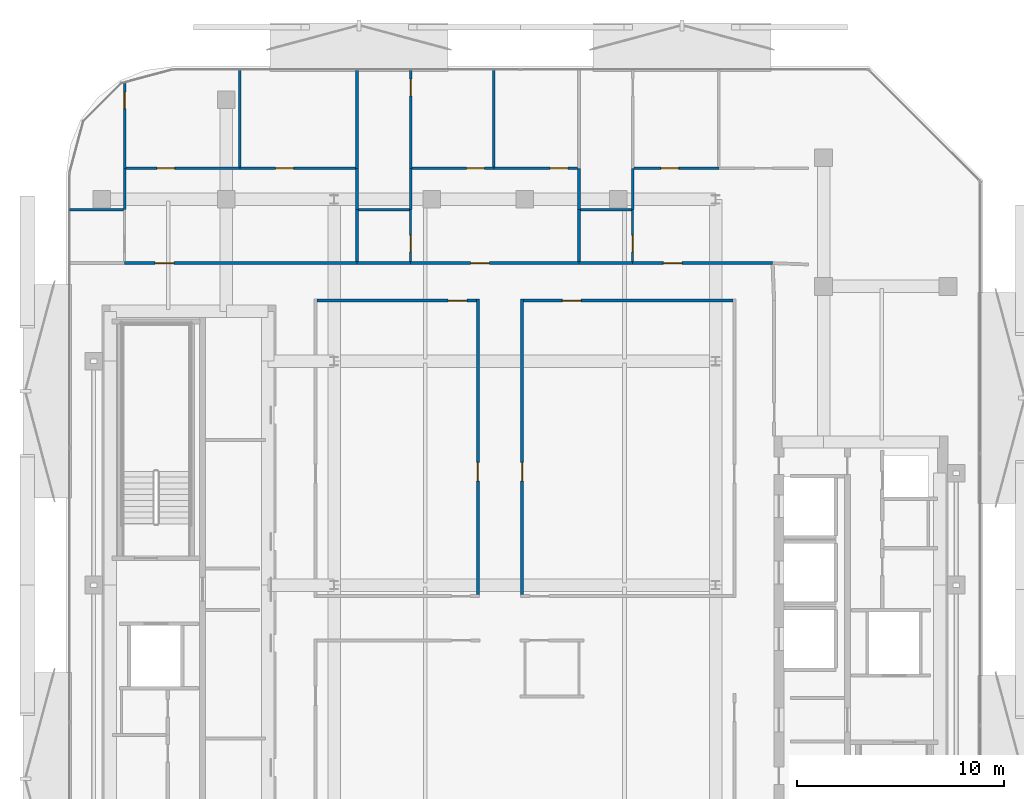
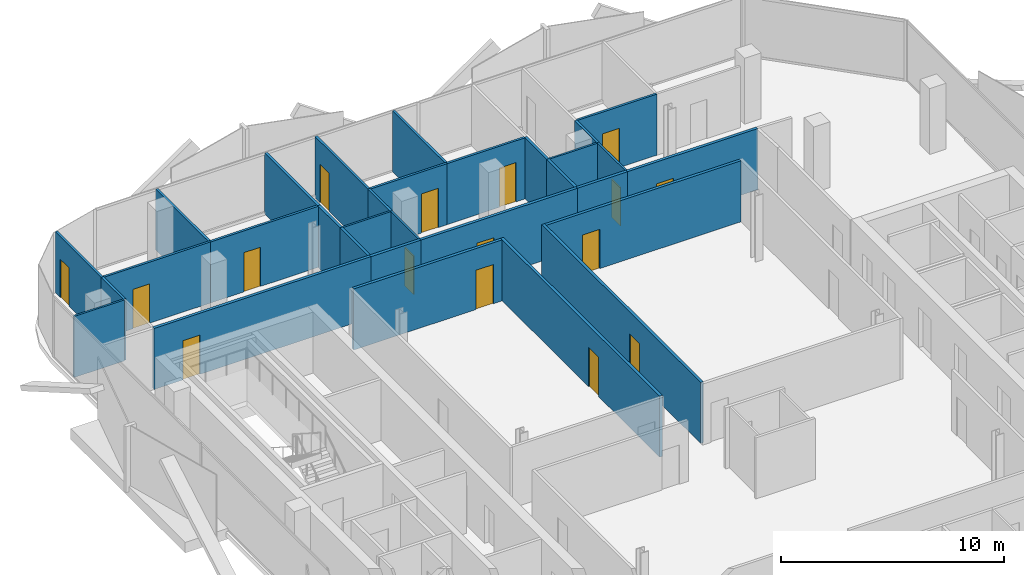
# One storey, part 6 of 15: 31 walls, 16 doors, 16 openings.
"""IFC4 building model written with IfcOpenShell, lengths in metres."""

from ifc_helpers import new_model, si_unit, direction, frame, frame_2d, origin, place, context, subcontext, project, spatial, rectangle, extrude, material, layer, layer_set, type_object, element, fill, save


model = new_model("IFC4")

# Units and contexts
model_context = context("Model", 3, precision=1e-05, world=origin(), true_north=direction((0.0, 1.0)))
body_context = subcontext(model_context, "Body", "Model", "MODEL_VIEW")
ifc_project = project(units=[si_unit("LENGTHUNIT", "METRE"), si_unit("AREAUNIT", "SQUARE_METRE"), si_unit("VOLUMEUNIT", "CUBIC_METRE"), si_unit("PLANEANGLEUNIT", "RADIAN"), si_unit("MASSUNIT", "GRAM", prefix="KILO")], contexts=[model_context])

# Site, building, storey
site_placement = place(None, origin())
site = spatial("IfcSite", under=ifc_project, at=site_placement, CompositionType="ELEMENT")
building_placement = place(site_placement, origin())
building = spatial("IfcBuilding", under=site, at=building_placement, Name="Khairoan Windgate Tower", CompositionType="ELEMENT")
storey_placement = place(building_placement, frame((0.0, 0.0, 244.0)))
storey = spatial("IfcBuildingStorey", under=building, at=storey_placement, Name="L57", CompositionType="ELEMENT", Elevation=244.0)

# Walls
ifc_material_1 = material(Name="Moisture-Resistant Gypsum Partition", Category="gypsum")
ifc_layer_1 = layer(ifc_material_1, 0.10009765625, Name="Moisture-Resistant Gypsum Partition")
ifc_layer_set_1 = layer_set([ifc_layer_1], Name="Moisture-Resistant Gypsum Partition")
wall_type_1 = type_object("IfcWallType", Name="Bathroom Wet-Area Partition Wall", PredefinedType="PARTITIONING", material=ifc_layer_set_1)
wall_1_placement = place(storey_placement, frame((-21.955078125, 18.10009765625, 0.0), z_axis=(0.0, 0.0, 1.0), x_axis=(1.0, 0.0, 0.0)))
element("IfcWall", 1, at=wall_1_placement, inside=storey, type_object=wall_type_1, Name="L57 Interior Partition 041", PredefinedType="PARTITIONING", context=body_context, shape_type="SweptSolid", body=[
    extrude(rectangle(XDim=2.594970703125, YDim=0.10009765625, at=frame_2d((1.29736328125, 0.0))), origin(), (0.0, 0.0, 1.0), 3.340087890625),
])
wall_2_placement = place(storey_placement, frame((-8.030029296875, 18.10009765625, 0.0), z_axis=(0.0, 0.0, 1.0), x_axis=(1.0, 0.0, 0.0)))
element("IfcWall", 2, at=wall_2_placement, inside=storey, type_object=wall_type_1, Name="L57 Interior Partition 051", PredefinedType="PARTITIONING", context=body_context, shape_type="SweptSolid", body=[
    extrude(rectangle(XDim=2.469970703125, YDim=0.10009765625, at=frame_2d((1.23486328125, 0.0))), origin(), (0.0, 0.0, 1.0), 3.340087890625),
])

# Wall, opening, door
wall_3_placement = place(storey_placement, frame((-5.510009765625, 15.60009765625, 0.0), z_axis=(0.0, 0.0, 1.0), x_axis=(0.0, 1.0, 0.0)))
wall_3 = element("IfcWall", 3, at=wall_3_placement, inside=storey, type_object=wall_type_1, Name="L57 Interior Partition 052", PredefinedType="PARTITIONING", context=body_context, shape_type="SweptSolid", body=[
    extrude(rectangle(XDim=2.5, YDim=0.10009765625, at=frame_2d((1.25, 0.0))), origin(), (0.0, 0.0, 1.0), 3.340087890625),
])
opening_1_placement = place(wall_3_placement, frame((0.4599609375, 0.0, 0.0)))
opening_1 = element("IfcOpeningElement", 4, at=opening_1_placement, cuts=wall_3, Name="Opening ID-BTH", PredefinedType="OPENING", context=body_context, shape_type="SweptSolid", body=[
    extrude(rectangle(XDim=0.800048828125, YDim=2.10009765625, at=frame_2d((0.39990234375, 1.050048828125))), frame((0.0, 0.06005859375, 0.0), z_axis=(0.0, -1.0, 0.0), x_axis=(1.0, 0.0, 0.0)), (0.0, 0.0, 1.0), 0.1201171875),
])
ifc_material_2 = material(Name="Teak Veneer Timber Leaf", Category="wood")
door_type_1 = type_object("IfcDoorType", Name="Internal Bathroom Door ID-BTH 800x2100", OperationType="NOTDEFINED", PredefinedType="DOOR", material=ifc_material_2)
door_1_placement = place(opening_1_placement, origin())
door_1 = element("IfcDoor", 5, at=door_1_placement, inside=storey, type_object=door_type_1, Name="L57 L57-38-L57-40 Door", OperationType="SINGLE_SWING_LEFT", OverallHeight=2.10009765625, OverallWidth=0.800048828125, PredefinedType="DOOR", context=body_context, shape_type="SweptSolid", body=[
    extrude(rectangle(XDim=0.800048828125, YDim=2.10009765625, at=frame_2d((0.39990234375, 1.050048828125))), frame((0.0, 0.02490234375, 0.0), z_axis=(0.0, -1.0, 0.0), x_axis=(1.0, 0.0, 0.0)), (0.0, 0.0, 1.0), 0.050048828125),
])
fill(opening_1, door_1)

# Wall
wall_4_placement = place(storey_placement, frame((2.669921875, 18.10009765625, 0.0), z_axis=(0.0, 0.0, 1.0), x_axis=(1.0, 0.0, 0.0)))
element("IfcWall", 6, at=wall_4_placement, inside=storey, type_object=wall_type_1, Name="L57 Interior Partition 061", PredefinedType="PARTITIONING", context=body_context, shape_type="SweptSolid", body=[
    extrude(rectangle(XDim=2.469970703125, YDim=0.10009765625, at=frame_2d((1.23486328125, 0.0))), origin(), (0.0, 0.0, 1.0), 3.340087890625),
])

# Wall, opening, door
wall_5_placement = place(storey_placement, frame((5.18994140625, 15.60009765625, 0.0), z_axis=(0.0, 0.0, 1.0), x_axis=(0.0, 1.0, 0.0)))
wall_5 = element("IfcWall", 7, at=wall_5_placement, inside=storey, type_object=wall_type_1, Name="L57 Interior Partition 062", PredefinedType="PARTITIONING", context=body_context, shape_type="SweptSolid", body=[
    extrude(rectangle(XDim=2.5, YDim=0.10009765625, at=frame_2d((1.25, 0.0))), origin(), (0.0, 0.0, 1.0), 3.340087890625),
])
opening_2_placement = place(wall_5_placement, frame((0.4599609375, 0.0, 0.0)))
opening_2 = element("IfcOpeningElement", 8, at=opening_2_placement, cuts=wall_5, Name="Opening ID-BTH", PredefinedType="OPENING", context=body_context, shape_type="SweptSolid", body=[
    extrude(rectangle(XDim=0.800048828125, YDim=2.10009765625, at=frame_2d((0.39990234375, 1.050048828125))), frame((0.0, 0.06005859375, 0.0), z_axis=(0.0, -1.0, 0.0), x_axis=(1.0, 0.0, 0.0)), (0.0, 0.0, 1.0), 0.1201171875),
])
door_2_placement = place(opening_2_placement, origin())
door_2 = element("IfcDoor", 9, at=door_2_placement, inside=storey, type_object=door_type_1, Name="L57 L57-43-L57-45 Door", OperationType="SINGLE_SWING_LEFT", OverallHeight=2.10009765625, OverallWidth=0.800048828125, PredefinedType="DOOR", context=body_context, shape_type="SweptSolid", body=[
    extrude(rectangle(XDim=0.800048828125, YDim=2.10009765625, at=frame_2d((0.39990234375, 1.050048828125))), frame((0.0, 0.02490234375, 0.0), z_axis=(0.0, -1.0, 0.0), x_axis=(1.0, 0.0, 0.0)), (0.0, 0.0, 1.0), 0.050048828125),
])
fill(opening_2, door_2)

# Walls
ifc_material_3 = material(Name="Acoustic Fire-Rated Gypsum Partition", Category="gypsum")
ifc_layer_2 = layer(ifc_material_3, 0.139892578125, Name="Acoustic Fire-Rated Gypsum Partition")
ifc_layer_set_2 = layer_set([ifc_layer_2], Name="Acoustic Fire-Rated Gypsum Partition")
wall_type_2 = type_object("IfcWallType", Name="Inter-Tenancy Compartment Wall", PredefinedType="PARTITIONING", material=ifc_layer_set_2)
wall_6_placement = place(storey_placement, frame((-8.10009765625, 15.60009765625, 0.0), z_axis=(0.0, 0.0, 1.0), x_axis=(0.0, 1.0, 0.0)))
element("IfcWall", 10, at=wall_6_placement, inside=storey, type_object=wall_type_2, Name="L57 Interior Partition 047", PredefinedType="PARTITIONING", context=body_context, shape_type="SweptSolid", body=[
    extrude(rectangle(XDim=2.5, YDim=0.139892578125, at=frame_2d((1.25, 0.0))), origin(), (0.0, 0.0, 1.0), 3.340087890625),
])
wall_7_placement = place(storey_placement, frame((-8.10009765625, 18.10009765625, 0.0), z_axis=(0.0, 0.0, 1.0), x_axis=(0.0, 1.0, 0.0)))
element("IfcWall", 11, at=wall_7_placement, inside=storey, type_object=wall_type_2, Name="L57 Interior Partition 048", PredefinedType="PARTITIONING", context=body_context, shape_type="SweptSolid", body=[
    extrude(rectangle(XDim=2.0, YDim=0.139892578125, at=frame_2d((1.0, 0.0))), origin(), (0.0, 0.0, 1.0), 3.340087890625),
])
wall_8_placement = place(storey_placement, frame((-8.10009765625, 20.10009765625, 0.0), z_axis=(0.0, 0.0, 1.0), x_axis=(0.0, 1.0, 0.0)))
element("IfcWall", 12, at=wall_8_placement, inside=storey, type_object=wall_type_2, Name="L57 Interior Partition 050", PredefinedType="PARTITIONING", context=body_context, shape_type="SweptSolid", body=[
    extrude(rectangle(XDim=4.7548828125, YDim=0.139892578125, at=frame_2d((2.37744140625, 0.0))), origin(), (0.0, 0.0, 1.0), 3.340087890625),
])
wall_9_placement = place(storey_placement, frame((2.60009765625, 15.60009765625, 0.0), z_axis=(0.0, 0.0, 1.0), x_axis=(0.0, 1.0, 0.0)))
element("IfcWall", 13, at=wall_9_placement, inside=storey, type_object=wall_type_2, Name="L57 Interior Partition 057", PredefinedType="PARTITIONING", context=body_context, shape_type="SweptSolid", body=[
    extrude(rectangle(XDim=2.5, YDim=0.139892578125, at=frame_2d((1.25, 0.0))), origin(), (0.0, 0.0, 1.0), 3.340087890625),
])
wall_10_placement = place(storey_placement, frame((2.60009765625, 18.10009765625, 0.0), z_axis=(0.0, 0.0, 1.0), x_axis=(0.0, 1.0, 0.0)))
element("IfcWall", 14, at=wall_10_placement, inside=storey, type_object=wall_type_2, Name="L57 Interior Partition 058", PredefinedType="PARTITIONING", context=body_context, shape_type="SweptSolid", body=[
    extrude(rectangle(XDim=2.0, YDim=0.139892578125, at=frame_2d((1.0, 0.0))), origin(), (0.0, 0.0, 1.0), 3.340087890625),
])
ifc_material_4 = material(Name="Gypsum Stud Partition", Category="gypsum")
ifc_layer_3 = layer(ifc_material_4, 0.1201171875, Name="Gypsum Stud Partition")
ifc_layer_set_3 = layer_set([ifc_layer_3], Name="Gypsum Stud Partition")
wall_type_3 = type_object("IfcWallType", Name="Internal Room Partition Wall", PredefinedType="PARTITIONING", material=ifc_layer_set_3)
wall_11_placement = place(storey_placement, frame((-19.31005859375, 18.10009765625, 0.0), z_axis=(0.0, 0.0, 1.0), x_axis=(0.0, 1.0, 0.0)))
element("IfcWall", 15, at=wall_11_placement, inside=storey, type_object=wall_type_3, Name="L57 Interior Partition 043", PredefinedType="PARTITIONING", context=body_context, shape_type="SweptSolid", body=[
    extrude(rectangle(XDim=2.0, YDim=0.1201171875, at=frame_2d((1.0, 0.0))), origin(), (0.0, 0.0, 1.0), 3.340087890625),
])

# Wall, opening, door
wall_12_placement = place(storey_placement, frame((-19.31005859375, 20.10009765625, 0.0), z_axis=(0.0, 0.0, 1.0), x_axis=(0.0, 1.0, 0.0)))
wall_12 = element("IfcWall", 16, at=wall_12_placement, inside=storey, type_object=wall_type_3, Name="L57 Interior Partition 044", PredefinedType="PARTITIONING", context=body_context, shape_type="SweptSolid", body=[
    extrude(rectangle(XDim=4.134521484375, YDim=0.1201171875, at=frame_2d((2.0673828125, 0.0))), origin(), (0.0, 0.0, 1.0), 3.340087890625),
])
opening_3_placement = place(wall_12_placement, frame((2.874755859375, 0.0, 0.0)))
opening_3 = element("IfcOpeningElement", 17, at=opening_3_placement, cuts=wall_12, Name="Opening ID-BTH", PredefinedType="OPENING", context=body_context, shape_type="SweptSolid", body=[
    extrude(rectangle(XDim=0.800048828125, YDim=2.10009765625, at=frame_2d((0.39990234375, 1.050048828125))), frame((0.0, 0.070068359375, 0.0), z_axis=(0.0, -1.0, 0.0), x_axis=(1.0, 0.0, 0.0)), (0.0, 0.0, 1.0), 0.14013671875),
])
door_3_placement = place(opening_3_placement, origin())
door_3 = element("IfcDoor", 18, at=door_3_placement, inside=storey, type_object=door_type_1, Name="L57 L57-34-L57-36 Door", OperationType="SINGLE_SWING_LEFT", OverallHeight=2.10009765625, OverallWidth=0.800048828125, PredefinedType="DOOR", context=body_context, shape_type="SweptSolid", body=[
    extrude(rectangle(XDim=0.800048828125, YDim=2.10009765625, at=frame_2d((0.39990234375, 1.050048828125))), frame((0.0, 0.02490234375, 0.0), z_axis=(0.0, -1.0, 0.0), x_axis=(1.0, 0.0, 0.0)), (0.0, 0.0, 1.0), 0.050048828125),
])
fill(opening_3, door_3)

wall_13_placement = place(storey_placement, frame((-19.25, 20.10009765625, 0.0), z_axis=(0.0, 0.0, 1.0), x_axis=(1.0, 0.0, 0.0)))
wall_13 = element("IfcWall", 19, at=wall_13_placement, inside=storey, type_object=wall_type_3, Name="L57 Interior Partition 045", PredefinedType="PARTITIONING", context=body_context, shape_type="SweptSolid", body=[
    extrude(rectangle(XDim=5.5048828125, YDim=0.1201171875, at=frame_2d((2.75244140625, 0.0))), origin(), (0.0, 0.0, 1.0), 3.340087890625),
])
opening_4_placement = place(wall_13_placement, frame((1.49462890625, 0.0, 0.0)))
opening_4 = element("IfcOpeningElement", 20, at=opening_4_placement, cuts=wall_13, Name="Opening ID-RM", PredefinedType="OPENING", context=body_context, shape_type="SweptSolid", body=[
    extrude(rectangle(XDim=0.860107421875, YDim=2.14990234375, at=frame_2d((0.43017578125, 1.074951171875))), frame((0.0, 0.070068359375, 0.0), z_axis=(0.0, -1.0, 0.0), x_axis=(1.0, 0.0, 0.0)), (0.0, 0.0, 1.0), 0.14013671875),
])
ifc_material_5 = material(Name="Teak Veneer Timber Leaf", Category="wood")
door_type_2 = type_object("IfcDoorType", Name="Internal Bedroom and Office Door ID-RM 860x2150", OperationType="NOTDEFINED", PredefinedType="DOOR", material=ifc_material_5)
door_4_placement = place(opening_4_placement, origin())
door_4 = element("IfcDoor", 21, at=door_4_placement, inside=storey, type_object=door_type_2, Name="L57 L57-35-L57-36 Door", OperationType="SINGLE_SWING_LEFT", OverallHeight=2.14990234375, OverallWidth=0.860107421875, PredefinedType="DOOR", context=body_context, shape_type="SweptSolid", body=[
    extrude(rectangle(XDim=0.860107421875, YDim=2.14990234375, at=frame_2d((0.43017578125, 1.074951171875))), frame((0.0, 0.02490234375, 0.0), z_axis=(0.0, -1.0, 0.0), x_axis=(1.0, 0.0, 0.0)), (0.0, 0.0, 1.0), 0.050048828125),
])
fill(opening_4, door_4)

wall_14_placement = place(storey_placement, frame((-13.7451171875, 20.10009765625, 0.0), z_axis=(0.0, 0.0, 1.0), x_axis=(1.0, 0.0, 0.0)))
wall_14 = element("IfcWall", 22, at=wall_14_placement, inside=storey, type_object=wall_type_3, Name="L57 Interior Partition 046", PredefinedType="PARTITIONING", context=body_context, shape_type="SweptSolid", body=[
    extrude(rectangle(XDim=5.5751953125, YDim=0.1201171875, at=frame_2d((2.78759765625, 0.0))), origin(), (0.0, 0.0, 1.0), 3.340087890625),
])
opening_5_placement = place(wall_14_placement, frame((1.72509765625, 0.0, 0.0)))
opening_5 = element("IfcOpeningElement", 23, at=opening_5_placement, cuts=wall_14, Name="Opening ID-RM", PredefinedType="OPENING", context=body_context, shape_type="SweptSolid", body=[
    extrude(rectangle(XDim=0.860107421875, YDim=2.14990234375, at=frame_2d((0.43017578125, 1.074951171875))), frame((0.0, 0.070068359375, 0.0), z_axis=(0.0, -1.0, 0.0), x_axis=(1.0, 0.0, 0.0)), (0.0, 0.0, 1.0), 0.14013671875),
])
door_5_placement = place(opening_5_placement, origin())
door_5 = element("IfcDoor", 24, at=door_5_placement, inside=storey, type_object=door_type_2, Name="L57 L57-35-L57-37 Door", OperationType="SINGLE_SWING_RIGHT", OverallHeight=2.14990234375, OverallWidth=0.860107421875, PredefinedType="DOOR", context=body_context, shape_type="SweptSolid", body=[
    extrude(rectangle(XDim=0.860107421875, YDim=2.14990234375, at=frame_2d((0.43017578125, 1.074951171875))), frame((0.0, 0.02490234375, 0.0), z_axis=(0.0, -1.0, 0.0), x_axis=(1.0, 0.0, 0.0)), (0.0, 0.0, 1.0), 0.050048828125),
])
fill(opening_5, door_5)

# Walls
wall_15_placement = place(storey_placement, frame((-13.7451171875, 20.159912109375, 0.0), z_axis=(0.0, 0.0, 1.0), x_axis=(0.0, 1.0, 0.0)))
element("IfcWall", 25, at=wall_15_placement, inside=storey, type_object=wall_type_3, Name="L57 Interior Partition 049", PredefinedType="PARTITIONING", context=body_context, shape_type="SweptSolid", body=[
    extrude(rectangle(XDim=4.695068359375, YDim=0.1201171875, at=frame_2d((2.34765625, 0.0))), origin(), (0.0, 0.0, 1.0), 3.340087890625),
])
wall_16_placement = place(storey_placement, frame((-5.510009765625, 18.10009765625, 0.0), z_axis=(0.0, 0.0, 1.0), x_axis=(0.0, 1.0, 0.0)))
element("IfcWall", 26, at=wall_16_placement, inside=storey, type_object=wall_type_3, Name="L57 Interior Partition 053", PredefinedType="PARTITIONING", context=body_context, shape_type="SweptSolid", body=[
    extrude(rectangle(XDim=2.0, YDim=0.1201171875, at=frame_2d((1.0, 0.0))), origin(), (0.0, 0.0, 1.0), 3.340087890625),
])

# Wall, opening, door
wall_17_placement = place(storey_placement, frame((-5.510009765625, 20.10009765625, 0.0), z_axis=(0.0, 0.0, 1.0), x_axis=(0.0, 1.0, 0.0)))
wall_17 = element("IfcWall", 27, at=wall_17_placement, inside=storey, type_object=wall_type_3, Name="L57 Interior Partition 054", PredefinedType="PARTITIONING", context=body_context, shape_type="SweptSolid", body=[
    extrude(rectangle(XDim=4.7548828125, YDim=0.1201171875, at=frame_2d((2.37744140625, 0.0))), origin(), (0.0, 0.0, 1.0), 3.340087890625),
])
opening_6_placement = place(wall_17_placement, frame((3.4951171875, 0.0, 0.0)))
opening_6 = element("IfcOpeningElement", 28, at=opening_6_placement, cuts=wall_17, Name="Opening ID-BTH", PredefinedType="OPENING", context=body_context, shape_type="SweptSolid", body=[
    extrude(rectangle(XDim=0.800048828125, YDim=2.10009765625, at=frame_2d((0.39990234375, 1.050048828125))), frame((0.0, 0.070068359375, 0.0), z_axis=(0.0, -1.0, 0.0), x_axis=(1.0, 0.0, 0.0)), (0.0, 0.0, 1.0), 0.14013671875),
])
door_6_placement = place(opening_6_placement, origin())
door_6 = element("IfcDoor", 29, at=door_6_placement, inside=storey, type_object=door_type_1, Name="L57 L57-39-L57-41 Door", OperationType="SINGLE_SWING_LEFT", OverallHeight=2.10009765625, OverallWidth=0.800048828125, PredefinedType="DOOR", context=body_context, shape_type="SweptSolid", body=[
    extrude(rectangle(XDim=0.800048828125, YDim=2.10009765625, at=frame_2d((0.39990234375, 1.050048828125))), frame((0.0, 0.02490234375, 0.0), z_axis=(0.0, -1.0, 0.0), x_axis=(1.0, 0.0, 0.0)), (0.0, 0.0, 1.0), 0.050048828125),
])
fill(opening_6, door_6)

wall_18_placement = place(storey_placement, frame((-5.449951171875, 20.10009765625, 0.0), z_axis=(0.0, 0.0, 1.0), x_axis=(1.0, 0.0, 0.0)))
wall_18 = element("IfcWall", 30, at=wall_18_placement, inside=storey, type_object=wall_type_3, Name="L57 Interior Partition 055", PredefinedType="PARTITIONING", context=body_context, shape_type="SweptSolid", body=[
    extrude(rectangle(XDim=3.954833984375, YDim=0.1201171875, at=frame_2d((1.9775390625, 0.0))), origin(), (0.0, 0.0, 1.0), 3.340087890625),
])
opening_7_placement = place(wall_18_placement, frame((2.635009765625, 0.0, 0.0)))
opening_7 = element("IfcOpeningElement", 31, at=opening_7_placement, cuts=wall_18, Name="Opening ID-RM", PredefinedType="OPENING", context=body_context, shape_type="SweptSolid", body=[
    extrude(rectangle(XDim=0.860107421875, YDim=2.14990234375, at=frame_2d((0.43017578125, 1.074951171875))), frame((0.0, 0.070068359375, 0.0), z_axis=(0.0, -1.0, 0.0), x_axis=(1.0, 0.0, 0.0)), (0.0, 0.0, 1.0), 0.14013671875),
])
door_7_placement = place(opening_7_placement, origin())
door_7 = element("IfcDoor", 32, at=door_7_placement, inside=storey, type_object=door_type_2, Name="L57 L57-40-L57-41 Door", OperationType="SINGLE_SWING_LEFT", OverallHeight=2.14990234375, OverallWidth=0.860107421875, PredefinedType="DOOR", context=body_context, shape_type="SweptSolid", body=[
    extrude(rectangle(XDim=0.860107421875, YDim=2.14990234375, at=frame_2d((0.43017578125, 1.074951171875))), frame((0.0, 0.02490234375, 0.0), z_axis=(0.0, -1.0, 0.0), x_axis=(1.0, 0.0, 0.0)), (0.0, 0.0, 1.0), 0.050048828125),
])
fill(opening_7, door_7)

wall_19_placement = place(storey_placement, frame((-1.4951171875, 20.10009765625, 0.0), z_axis=(0.0, 0.0, 1.0), x_axis=(1.0, 0.0, 0.0)))
wall_19 = element("IfcWall", 33, at=wall_19_placement, inside=storey, type_object=wall_type_3, Name="L57 Interior Partition 056", PredefinedType="PARTITIONING", context=body_context, shape_type="SweptSolid", body=[
    extrude(rectangle(XDim=4.025146484375, YDim=0.1201171875, at=frame_2d((2.0126953125, 0.0))), origin(), (0.0, 0.0, 1.0), 3.340087890625),
])
opening_8_placement = place(wall_19_placement, frame((2.705078125, 0.0, 0.0)))
opening_8 = element("IfcOpeningElement", 34, at=opening_8_placement, cuts=wall_19, Name="Opening ID-RM", PredefinedType="OPENING", context=body_context, shape_type="SweptSolid", body=[
    extrude(rectangle(XDim=0.860107421875, YDim=2.14990234375, at=frame_2d((0.43017578125, 1.074951171875))), frame((0.0, 0.070068359375, 0.0), z_axis=(0.0, -1.0, 0.0), x_axis=(1.0, 0.0, 0.0)), (0.0, 0.0, 1.0), 0.14013671875),
])
door_8_placement = place(opening_8_placement, origin())
door_8 = element("IfcDoor", 35, at=door_8_placement, inside=storey, type_object=door_type_2, Name="L57 L57-40-L57-42 Door", OperationType="SINGLE_SWING_RIGHT", OverallHeight=2.14990234375, OverallWidth=0.860107421875, PredefinedType="DOOR", context=body_context, shape_type="SweptSolid", body=[
    extrude(rectangle(XDim=0.860107421875, YDim=2.14990234375, at=frame_2d((0.43017578125, 1.074951171875))), frame((0.0, 0.02490234375, 0.0), z_axis=(0.0, -1.0, 0.0), x_axis=(1.0, 0.0, 0.0)), (0.0, 0.0, 1.0), 0.050048828125),
])
fill(opening_8, door_8)

# Walls
wall_20_placement = place(storey_placement, frame((-1.4951171875, 20.159912109375, 0.0), z_axis=(0.0, 0.0, 1.0), x_axis=(0.0, 1.0, 0.0)))
element("IfcWall", 36, at=wall_20_placement, inside=storey, type_object=wall_type_3, Name="L57 Interior Partition 059", PredefinedType="PARTITIONING", context=body_context, shape_type="SweptSolid", body=[
    extrude(rectangle(XDim=4.695068359375, YDim=0.1201171875, at=frame_2d((2.34765625, 0.0))), origin(), (0.0, 0.0, 1.0), 3.340087890625),
])
wall_21_placement = place(storey_placement, frame((5.18994140625, 18.10009765625, 0.0), z_axis=(0.0, 0.0, 1.0), x_axis=(0.0, 1.0, 0.0)))
element("IfcWall", 37, at=wall_21_placement, inside=storey, type_object=wall_type_3, Name="L57 Interior Partition 063", PredefinedType="PARTITIONING", context=body_context, shape_type="SweptSolid", body=[
    extrude(rectangle(XDim=2.0, YDim=0.1201171875, at=frame_2d((1.0, 0.0))), origin(), (0.0, 0.0, 1.0), 3.340087890625),
])

# Wall, opening, door
wall_22_placement = place(storey_placement, frame((5.25, 20.10009765625, 0.0), z_axis=(0.0, 0.0, 1.0), x_axis=(1.0, 0.0, 0.0)))
wall_22 = element("IfcWall", 38, at=wall_22_placement, inside=storey, type_object=wall_type_3, Name="L57 Interior Partition 065", PredefinedType="PARTITIONING", context=body_context, shape_type="SweptSolid", body=[
    extrude(rectangle(XDim=4.10498046875, YDim=0.1201171875, at=frame_2d((2.052490234375, 0.0))), origin(), (0.0, 0.0, 1.0), 3.340087890625),
])
opening_9_placement = place(wall_22_placement, frame((1.305419921875, 0.0, 0.0)))
opening_9 = element("IfcOpeningElement", 39, at=opening_9_placement, cuts=wall_22, Name="Opening ID-RM", PredefinedType="OPENING", context=body_context, shape_type="SweptSolid", body=[
    extrude(rectangle(XDim=0.860107421875, YDim=2.14990234375, at=frame_2d((0.43017578125, 1.074951171875))), frame((0.0, 0.070068359375, 0.0), z_axis=(0.0, -1.0, 0.0), x_axis=(1.0, 0.0, 0.0)), (0.0, 0.0, 1.0), 0.14013671875),
])
door_9_placement = place(opening_9_placement, origin())
door_9 = element("IfcDoor", 40, at=door_9_placement, inside=storey, type_object=door_type_2, Name="L57 L57-45-L57-46 Door", OperationType="SINGLE_SWING_LEFT", OverallHeight=2.14990234375, OverallWidth=0.860107421875, PredefinedType="DOOR", context=body_context, shape_type="SweptSolid", body=[
    extrude(rectangle(XDim=0.860107421875, YDim=2.14990234375, at=frame_2d((0.43017578125, 1.074951171875))), frame((0.0, 0.02490234375, 0.0), z_axis=(0.0, -1.0, 0.0), x_axis=(1.0, 0.0, 0.0)), (0.0, 0.0, 1.0), 0.050048828125),
])
fill(opening_9, door_9)

ifc_material_6 = material(Name="Acoustic Fire-Rated Gypsum Partition", Category="gypsum")
ifc_layer_4 = layer(ifc_material_6, 0.14990234375, Name="Acoustic Fire-Rated Gypsum Partition")
ifc_layer_set_4 = layer_set([ifc_layer_4], Name="Acoustic Fire-Rated Gypsum Partition")
wall_type_4 = type_object("IfcWallType", Name="Rated Corridor Partition Wall", PredefinedType="PARTITIONING", material=ifc_layer_set_4)
wall_23_placement = place(storey_placement, frame((-2.264892578125, -0.4599609375, 0.0), z_axis=(0.0, 0.0, 1.0), x_axis=(0.0, 1.0, 0.0)))
wall_23 = element("IfcWall", 41, at=wall_23_placement, inside=storey, type_object=wall_type_4, Name="L57 Interior Partition 022", PredefinedType="PARTITIONING", context=body_context, shape_type="SweptSolid", body=[
    extrude(rectangle(XDim=14.2548828125, YDim=0.14990234375, at=frame_2d((7.12744140625, 0.0))), origin(), (0.0, 0.0, 1.0), 3.340087890625),
])
opening_10_placement = place(wall_23_placement, frame((5.47412109375, 0.0, 0.0)))
opening_10 = element("IfcOpeningElement", 42, at=opening_10_placement, cuts=wall_23, Name="Opening FD-ENT", PredefinedType="OPENING", context=body_context, shape_type="SweptSolid", body=[
    extrude(rectangle(XDim=0.89990234375, YDim=2.14990234375, at=frame_2d((0.449951171875, 1.074951171875))), frame((0.0, 0.0849609375, 0.0), z_axis=(0.0, -1.0, 0.0), x_axis=(1.0, 0.0, 0.0)), (0.0, 0.0, 1.0), 0.169921875),
])
ifc_material_7 = material(Name="Timber Fire-Rated Core", Category="wood")
door_type_3 = type_object("IfcDoorType", Name="Unit and Office Fire Entrance Door FD-ENT 900x2150", OperationType="NOTDEFINED", PredefinedType="DOOR", material=ifc_material_7)
door_10_placement = place(opening_10_placement, origin())
door_10 = element("IfcDoor", 43, at=door_10_placement, inside=storey, type_object=door_type_3, Name="L57 L57-30-L57-65 Door", OperationType="SINGLE_SWING_RIGHT", OverallHeight=2.14990234375, OverallWidth=0.89990234375, PredefinedType="DOOR", context=body_context, shape_type="SweptSolid", body=[
    extrude(rectangle(XDim=0.89990234375, YDim=2.14990234375, at=frame_2d((0.449951171875, 1.074951171875))), frame((0.0, 0.02490234375, 0.0), z_axis=(0.0, -1.0, 0.0), x_axis=(1.0, 0.0, 0.0)), (0.0, 0.0, 1.0), 0.050048828125),
])
fill(opening_10, door_10)

wall_24_placement = place(storey_placement, frame((-0.135009765625, -0.4599609375, 0.0), z_axis=(0.0, 0.0, 1.0), x_axis=(0.0, 1.0, 0.0)))
wall_24 = element("IfcWall", 44, at=wall_24_placement, inside=storey, type_object=wall_type_4, Name="L57 Interior Partition 023", PredefinedType="PARTITIONING", context=body_context, shape_type="SweptSolid", body=[
    extrude(rectangle(XDim=14.2548828125, YDim=0.14990234375, at=frame_2d((7.12744140625, 0.0))), origin(), (0.0, 0.0, 1.0), 3.340087890625),
])
opening_11_placement = place(wall_24_placement, frame((5.47412109375, 0.0, 0.0)))
opening_11 = element("IfcOpeningElement", 45, at=opening_11_placement, cuts=wall_24, Name="Opening FD-ENT", PredefinedType="OPENING", context=body_context, shape_type="SweptSolid", body=[
    extrude(rectangle(XDim=0.89990234375, YDim=2.14990234375, at=frame_2d((0.449951171875, 1.074951171875))), frame((0.0, 0.0849609375, 0.0), z_axis=(0.0, -1.0, 0.0), x_axis=(1.0, 0.0, 0.0)), (0.0, 0.0, 1.0), 0.169921875),
])
door_11_placement = place(opening_11_placement, origin())
door_11 = element("IfcDoor", 46, at=door_11_placement, inside=storey, type_object=door_type_3, Name="L57 L57-30-L57-67 Door", OperationType="SINGLE_SWING_LEFT", OverallHeight=2.14990234375, OverallWidth=0.89990234375, PredefinedType="DOOR", context=body_context, shape_type="SweptSolid", body=[
    extrude(rectangle(XDim=0.89990234375, YDim=2.14990234375, at=frame_2d((0.449951171875, 1.074951171875))), frame((0.0, 0.02490234375, 0.0), z_axis=(0.0, -1.0, 0.0), x_axis=(1.0, 0.0, 0.0)), (0.0, 0.0, 1.0), 0.050048828125),
])
fill(opening_11, door_11)

wall_25_placement = place(storey_placement, frame((-19.31005859375, 15.52490234375, 0.0), z_axis=(0.0, 0.0, 1.0), x_axis=(1.0, 0.0, 0.0)))
wall_25 = element("IfcWall", 47, at=wall_25_placement, inside=storey, type_object=wall_type_4, Name="L57 Interior Partition 025", PredefinedType="PARTITIONING", context=body_context, shape_type="SweptSolid", body=[
    extrude(rectangle(XDim=11.2099609375, YDim=0.14990234375, at=frame_2d((5.60498046875, 0.0))), origin(), (0.0, 0.0, 1.0), 3.340087890625),
])
opening_12_placement = place(wall_25_placement, frame((1.480712890625, 0.0, 0.0)))
opening_12 = element("IfcOpeningElement", 48, at=opening_12_placement, cuts=wall_25, Name="Opening FD-ENT", PredefinedType="OPENING", context=body_context, shape_type="SweptSolid", body=[
    extrude(rectangle(XDim=0.89990234375, YDim=2.14990234375, at=frame_2d((0.449951171875, 1.074951171875))), frame((0.0, 0.0849609375, 0.0), z_axis=(0.0, -1.0, 0.0), x_axis=(1.0, 0.0, 0.0)), (0.0, 0.0, 1.0), 0.169921875),
])
door_12_placement = place(opening_12_placement, origin())
door_12 = element("IfcDoor", 49, at=door_12_placement, inside=storey, type_object=door_type_3, Name="L57 L57-31-L57-35 Door", OperationType="SINGLE_SWING_RIGHT", OverallHeight=2.14990234375, OverallWidth=0.89990234375, PredefinedType="DOOR", context=body_context, shape_type="SweptSolid", body=[
    extrude(rectangle(XDim=0.89990234375, YDim=2.14990234375, at=frame_2d((0.449951171875, 1.074951171875))), frame((0.0, 0.02490234375, 0.0), z_axis=(0.0, -1.0, 0.0), x_axis=(1.0, 0.0, 0.0)), (0.0, 0.0, 1.0), 0.050048828125),
])
fill(opening_12, door_12)

# Wall
wall_26_placement = place(storey_placement, frame((-8.10009765625, 15.52490234375, 0.0), z_axis=(0.0, 0.0, 1.0), x_axis=(1.0, 0.0, 0.0)))
element("IfcWall", 50, at=wall_26_placement, inside=storey, type_object=wall_type_4, Name="L57 Interior Partition 026", PredefinedType="PARTITIONING", context=body_context, shape_type="SweptSolid", body=[
    extrude(rectangle(XDim=2.590087890625, YDim=0.14990234375, at=frame_2d((1.294921875, 0.0))), origin(), (0.0, 0.0, 1.0), 3.340087890625),
])

# Wall, opening, door
wall_27_placement = place(storey_placement, frame((-5.510009765625, 15.52490234375, 0.0), z_axis=(0.0, 0.0, 1.0), x_axis=(1.0, 0.0, 0.0)))
wall_27 = element("IfcWall", 51, at=wall_27_placement, inside=storey, type_object=wall_type_4, Name="L57 Interior Partition 027", PredefinedType="PARTITIONING", context=body_context, shape_type="SweptSolid", body=[
    extrude(rectangle(XDim=8.110107421875, YDim=0.14990234375, at=frame_2d((4.05517578125, 0.0))), origin(), (0.0, 0.0, 1.0), 3.340087890625),
])
opening_13_placement = place(wall_27_placement, frame((2.894775390625, 0.0, 0.0)))
opening_13 = element("IfcOpeningElement", 52, at=opening_13_placement, cuts=wall_27, Name="Opening FD-ENT", PredefinedType="OPENING", context=body_context, shape_type="SweptSolid", body=[
    extrude(rectangle(XDim=0.89990234375, YDim=2.14990234375, at=frame_2d((0.449951171875, 1.074951171875))), frame((0.0, 0.0849609375, 0.0), z_axis=(0.0, -1.0, 0.0), x_axis=(1.0, 0.0, 0.0)), (0.0, 0.0, 1.0), 0.169921875),
])
door_13_placement = place(opening_13_placement, origin())
door_13 = element("IfcDoor", 53, at=door_13_placement, inside=storey, type_object=door_type_3, Name="L57 L57-31-L57-40 Door", OperationType="SINGLE_SWING_LEFT", OverallHeight=2.14990234375, OverallWidth=0.89990234375, PredefinedType="DOOR", context=body_context, shape_type="SweptSolid", body=[
    extrude(rectangle(XDim=0.89990234375, YDim=2.14990234375, at=frame_2d((0.449951171875, 1.074951171875))), frame((0.0, 0.02490234375, 0.0), z_axis=(0.0, -1.0, 0.0), x_axis=(1.0, 0.0, 0.0)), (0.0, 0.0, 1.0), 0.050048828125),
])
fill(opening_13, door_13)

# Wall
wall_28_placement = place(storey_placement, frame((2.60009765625, 15.52490234375, 0.0), z_axis=(0.0, 0.0, 1.0), x_axis=(1.0, 0.0, 0.0)))
element("IfcWall", 54, at=wall_28_placement, inside=storey, type_object=wall_type_4, Name="L57 Interior Partition 028", PredefinedType="PARTITIONING", context=body_context, shape_type="SweptSolid", body=[
    extrude(rectangle(XDim=2.58984375, YDim=0.14990234375, at=frame_2d((1.294921875, 0.0))), origin(), (0.0, 0.0, 1.0), 3.340087890625),
])

# Wall, opening, door
wall_29_placement = place(storey_placement, frame((5.18994140625, 15.52490234375, 0.0), z_axis=(0.0, 0.0, 1.0), x_axis=(1.0, 0.0, 0.0)))
wall_29 = element("IfcWall", 55, at=wall_29_placement, inside=storey, type_object=wall_type_4, Name="L57 Interior Partition 029", PredefinedType="PARTITIONING", context=body_context, shape_type="SweptSolid", body=[
    extrude(rectangle(XDim=6.75, YDim=0.14990234375, at=frame_2d((3.375, 0.0))), origin(), (0.0, 0.0, 1.0), 3.340087890625),
])
opening_14_placement = place(wall_29_placement, frame((1.487060546875, 0.0, 0.0)))
opening_14 = element("IfcOpeningElement", 56, at=opening_14_placement, cuts=wall_29, Name="Opening FD-ENT", PredefinedType="OPENING", context=body_context, shape_type="SweptSolid", body=[
    extrude(rectangle(XDim=0.89990234375, YDim=2.14990234375, at=frame_2d((0.449951171875, 1.074951171875))), frame((0.0, 0.0849609375, 0.0), z_axis=(0.0, -1.0, 0.0), x_axis=(1.0, 0.0, 0.0)), (0.0, 0.0, 1.0), 0.169921875),
])
door_14_placement = place(opening_14_placement, origin())
door_14 = element("IfcDoor", 57, at=door_14_placement, inside=storey, type_object=door_type_3, Name="L57 L57-31-L57-45 Door", OperationType="SINGLE_SWING_RIGHT", OverallHeight=2.14990234375, OverallWidth=0.89990234375, PredefinedType="DOOR", context=body_context, shape_type="SweptSolid", body=[
    extrude(rectangle(XDim=0.89990234375, YDim=2.14990234375, at=frame_2d((0.449951171875, 1.074951171875))), frame((0.0, 0.02490234375, 0.0), z_axis=(0.0, -1.0, 0.0), x_axis=(1.0, 0.0, 0.0)), (0.0, 0.0, 1.0), 0.050048828125),
])
fill(opening_14, door_14)

wall_30_placement = place(storey_placement, frame((-10.02490234375, 13.719970703125, 0.0), z_axis=(0.0, 0.0, 1.0), x_axis=(1.0, 0.0, 0.0)))
wall_30 = element("IfcWall", 58, at=wall_30_placement, inside=storey, type_object=wall_type_4, Name="L57 Interior Partition 031", PredefinedType="PARTITIONING", context=body_context, shape_type="SweptSolid", body=[
    extrude(rectangle(XDim=7.684814453125, YDim=0.14990234375, at=frame_2d((3.84228515625, 0.0))), origin(), (0.0, 0.0, 1.0), 3.340087890625),
])
opening_15_placement = place(wall_30_placement, frame((6.324951171875, 0.0, 0.0)))
opening_15 = element("IfcOpeningElement", 59, at=opening_15_placement, cuts=wall_30, Name="Opening FD-ENT", PredefinedType="OPENING", context=body_context, shape_type="SweptSolid", body=[
    extrude(rectangle(XDim=0.89990234375, YDim=2.14990234375, at=frame_2d((0.449951171875, 1.074951171875))), frame((0.0, 0.0849609375, 0.0), z_axis=(0.0, -1.0, 0.0), x_axis=(1.0, 0.0, 0.0)), (0.0, 0.0, 1.0), 0.169921875),
])
door_15_placement = place(opening_15_placement, origin())
door_15 = element("IfcDoor", 60, at=door_15_placement, inside=storey, type_object=door_type_3, Name="L57 L57-31-L57-65 Door", OperationType="SINGLE_SWING_RIGHT", OverallHeight=2.14990234375, OverallWidth=0.89990234375, PredefinedType="DOOR", context=body_context, shape_type="SweptSolid", body=[
    extrude(rectangle(XDim=0.89990234375, YDim=2.14990234375, at=frame_2d((0.449951171875, 1.074951171875))), frame((0.0, 0.02490234375, 0.0), z_axis=(0.0, -1.0, 0.0), x_axis=(1.0, 0.0, 0.0)), (0.0, 0.0, 1.0), 0.050048828125),
])
fill(opening_15, door_15)

wall_31_placement = place(storey_placement, frame((-0.06005859375, 13.719970703125, 0.0), z_axis=(0.0, 0.0, 1.0), x_axis=(1.0, 0.0, 0.0)))
wall_31 = element("IfcWall", 61, at=wall_31_placement, inside=storey, type_object=wall_type_4, Name="L57 Interior Partition 032", PredefinedType="PARTITIONING", context=body_context, shape_type="SweptSolid", body=[
    extrude(rectangle(XDim=10.0849609375, YDim=0.14990234375, at=frame_2d((5.04248046875, 0.0))), origin(), (0.0, 0.0, 1.0), 3.340087890625),
])
opening_16_placement = place(wall_31_placement, frame((1.87109375, 0.0, 0.0)))
opening_16 = element("IfcOpeningElement", 62, at=opening_16_placement, cuts=wall_31, Name="Opening FD-ENT", PredefinedType="OPENING", context=body_context, shape_type="SweptSolid", body=[
    extrude(rectangle(XDim=0.89990234375, YDim=2.14990234375, at=frame_2d((0.449951171875, 1.074951171875))), frame((0.0, 0.0849609375, 0.0), z_axis=(0.0, -1.0, 0.0), x_axis=(1.0, 0.0, 0.0)), (0.0, 0.0, 1.0), 0.169921875),
])
door_16_placement = place(opening_16_placement, origin())
door_16 = element("IfcDoor", 63, at=door_16_placement, inside=storey, type_object=door_type_3, Name="L57 L57-31-L57-67 Door", OperationType="SINGLE_SWING_LEFT", OverallHeight=2.14990234375, OverallWidth=0.89990234375, PredefinedType="DOOR", context=body_context, shape_type="SweptSolid", body=[
    extrude(rectangle(XDim=0.89990234375, YDim=2.14990234375, at=frame_2d((0.449951171875, 1.074951171875))), frame((0.0, 0.02490234375, 0.0), z_axis=(0.0, -1.0, 0.0), x_axis=(1.0, 0.0, 0.0)), (0.0, 0.0, 1.0), 0.050048828125),
])
fill(opening_16, door_16)

save(model, "model.ifc")
